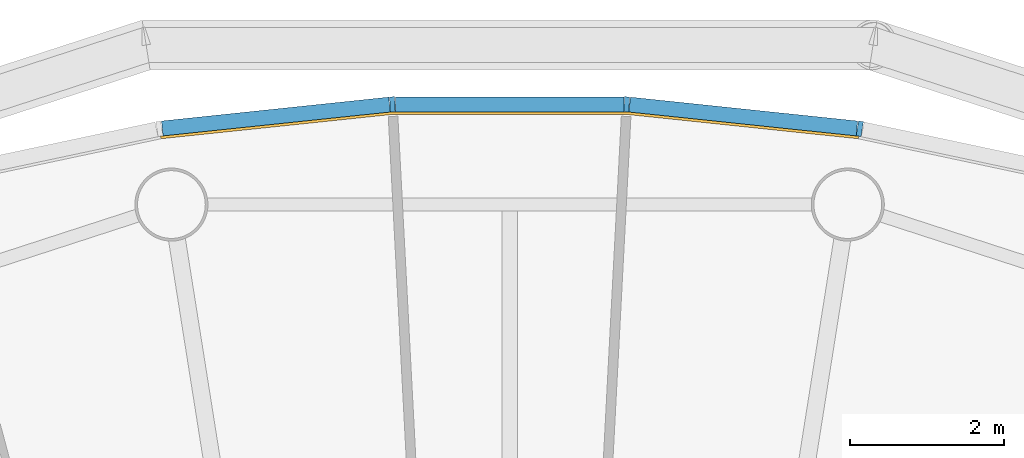
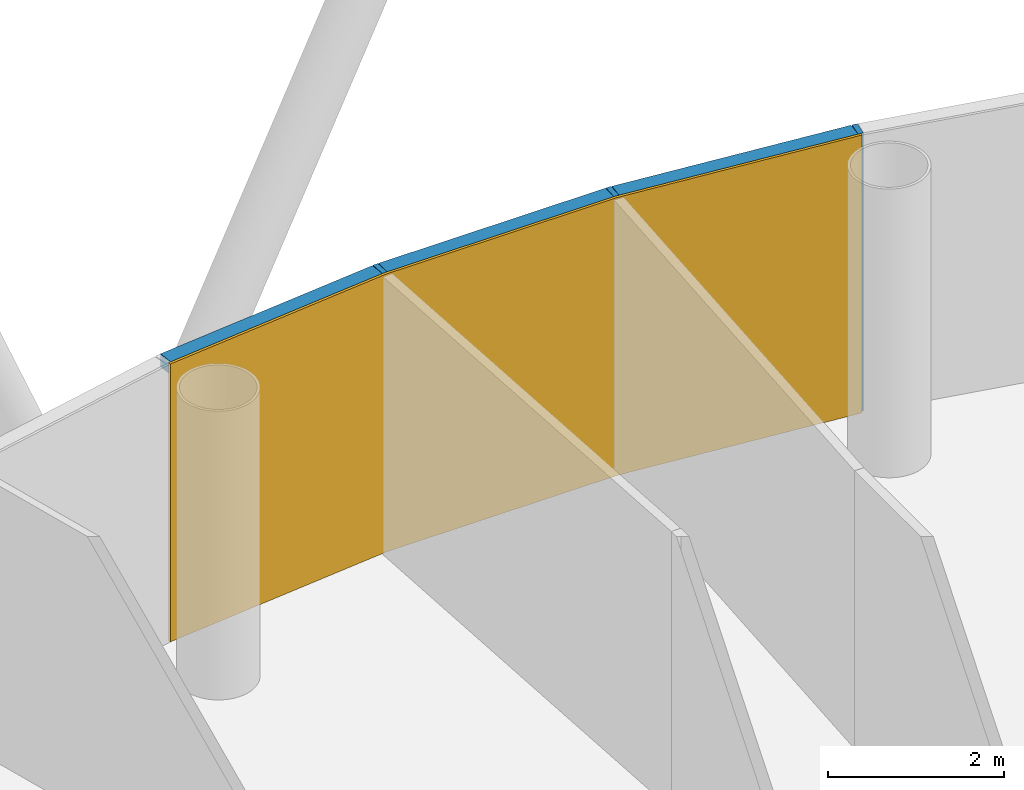
# One storey, part 11 of 13: 6 members, 1 curtain wall.
"""IFC4 building model written with IfcOpenShell, lengths in metres."""

from ifc_helpers import new_model, si_unit, direction, frame, origin, origin_2d, place, context, subcontext, project, spatial, polyline, rectangle, outline, extrude, material, layer, layer_set, material_profile, profile_set, type_object, element, aggregate, save


model = new_model("IFC4")

# Units and contexts
model_context = context("Model", 3, precision=1e-05, world=origin(), true_north=direction((0.0, 1.0)))
body_context = subcontext(model_context, "Body", "Model", "MODEL_VIEW")
ifc_project = project(units=[si_unit("LENGTHUNIT", "METRE"), si_unit("AREAUNIT", "SQUARE_METRE"), si_unit("VOLUMEUNIT", "CUBIC_METRE"), si_unit("PLANEANGLEUNIT", "RADIAN"), si_unit("MASSUNIT", "GRAM", prefix="KILO")], contexts=[model_context])

# Member
ifc_material_1 = material(Name="Anodised aluminium", Category="aluminium")
ifc_material_profile_1 = material_profile(ifc_material_1, rectangle(XDim=0.06494140625, YDim=0.195068359375, at=origin_2d()), Name="Mullion 65 x 195 mm anodised aluminium")
ifc_profile_set_1 = profile_set([ifc_material_profile_1], Name="Anodised aluminium")
member_type_1 = type_object("IfcMemberType", Name="Mullion 65 x 195 mm anodised aluminium", PredefinedType="MULLION", material=ifc_profile_set_1)
site_placement = place(None, origin())
building_placement = place(site_placement, origin())
storey_placement = place(building_placement, frame((0.0, 0.0, 310.0)))
member_1_placement = place(storey_placement, frame((94.5517578125, 108.7392578125, 0.0), z_axis=(0.0, 0.0, 1.0), x_axis=(-0.987688340595, 0.15643446504, 0.0)))
member_1 = element("IfcMember", 1, at=member_1_placement, type_object=member_type_1, Name="MULLION L71-12", PredefinedType="MULLION", context=body_context, shape_type="SweptSolid", body=[
    extrude(rectangle(XDim=0.06494140625, YDim=0.195068359375, at=origin_2d()), origin(), (0.0, 0.0, 1.0), 3.85009765625),
])

member_2_placement = place(storey_placement, frame((91.52294921875, 109.0576171875, 0.0), z_axis=(0.0, 0.0, 1.0), x_axis=(-0.998629534755, 0.052335956243, 0.0)))
member_2 = element("IfcMember", 2, at=member_2_placement, type_object=member_type_1, Name="MULLION L71-13", PredefinedType="MULLION", context=body_context, shape_type="SweptSolid", body=[
    extrude(rectangle(XDim=0.06494140625, YDim=0.195068359375, at=origin_2d()), origin(), (0.0, 0.0, 1.0), 3.85009765625),
])

member_3_placement = place(storey_placement, frame((88.47705078125, 109.0576171875, 0.0), z_axis=(0.0, 0.0, 1.0), x_axis=(-0.998629534755, -0.052335956243, 0.0)))
member_3 = element("IfcMember", 3, at=member_3_placement, type_object=member_type_1, Name="MULLION L71-14", PredefinedType="MULLION", context=body_context, shape_type="SweptSolid", body=[
    extrude(rectangle(XDim=0.06494140625, YDim=0.195068359375, at=origin_2d()), origin(), (0.0, 0.0, 1.0), 3.85009765625),
])

ifc_material_2 = material(Name="Anodised aluminium", Category="aluminium")
ifc_material_profile_2 = material_profile(ifc_material_2, rectangle(XDim=0.195068359375, YDim=0.179931640625, at=origin_2d()), Name="Transom 180 x 195 mm anodised aluminium")
ifc_profile_set_2 = profile_set([ifc_material_profile_2], Name="Anodised aluminium")
member_type_2 = type_object("IfcMemberType", Name="Transom 180 x 195 mm anodised aluminium", PredefinedType="USERDEFINED", material=ifc_profile_set_2)
member_4_placement = place(storey_placement, frame((94.514404296875, 108.743408203125, 3.760009765625), z_axis=(-0.994528397827, 0.104466577987, 0.0), x_axis=(-0.104466577987, -0.994528397827, 0.0)))
member_4 = element("IfcMember", 4, at=member_4_placement, type_object=member_type_2, Name="TRANSOM L71-12", ObjectType="TRANSOM", PredefinedType="USERDEFINED", context=body_context, shape_type="SweptSolid", body=[
    extrude(rectangle(XDim=0.195068359375, YDim=0.179931640625, at=origin_2d()), origin(), (0.0, 0.0, 1.0), 2.970458984375),
])

member_5_placement = place(storey_placement, frame((91.4853515625, 109.057861328125, 3.760009765625), z_axis=(-1.0, 0.0, 0.0), x_axis=(0.0, -1.0, 0.0)))
member_5 = element("IfcMember", 5, at=member_5_placement, type_object=member_type_2, Name="TRANSOM L71-13", ObjectType="TRANSOM", PredefinedType="USERDEFINED", context=body_context, shape_type="SweptSolid", body=[
    extrude(rectangle(XDim=0.195068359375, YDim=0.179931640625, at=origin_2d()), origin(), (0.0, 0.0, 1.0), 2.970703125),
])

member_6_placement = place(storey_placement, frame((88.439697265625, 109.0537109375, 3.760009765625), z_axis=(-0.994528397827, -0.104466577987, 0.0), x_axis=(0.104466577987, -0.994528397827, 0.0)))
member_6 = element("IfcMember", 6, at=member_6_placement, type_object=member_type_2, Name="TRANSOM L71-14", ObjectType="TRANSOM", PredefinedType="USERDEFINED", context=body_context, shape_type="SweptSolid", body=[
    extrude(rectangle(XDim=0.195068359375, YDim=0.179931640625, at=origin_2d()), origin(), (0.0, 0.0, 1.0), 2.970458984375),
])

# Site, building, storey
site = spatial("IfcSite", under=ifc_project, at=site_placement, CompositionType="ELEMENT")
building = spatial("IfcBuilding", under=site, at=building_placement, Name="Entoto Ring Tower", CompositionType="ELEMENT")
storey = spatial("IfcBuildingStorey", under=building, at=storey_placement, Name="L71", CompositionType="ELEMENT", Elevation=310.0)

# Curtain wall
ifc_material_3 = material(Name="Clear low-iron glass", Category="glass")
ifc_layer = layer(ifc_material_3, 0.033935546875)
ifc_layer_set = layer_set([ifc_layer], Name="Clear low-iron glass")
curtain_wall_type = type_object("IfcCurtainWallType", Name="Curtain wall system CW5 glazing 34 mm", PredefinedType="NOTDEFINED", material=ifc_layer_set)
curtain_wall_placement = place(storey_placement, origin())
curtain_wall = element("IfcCurtainWall", 7, at=curtain_wall_placement, inside=storey, type_object=curtain_wall_type, Name="CW5 L71-05", PredefinedType="NOTDEFINED", context=body_context, shape_type="SweptSolid", body=[
    extrude(outline(polyline([(94.53662109375, 108.64306640625), (91.517822265625, 108.960205078125), (88.482177734375, 108.960205078125), (85.46337890625, 108.64306640625), (85.46875, 108.609375), (88.484130859375, 108.92626953125), (91.515869140625, 108.92626953125), (94.53125, 108.609375), (94.53662109375, 108.64306640625)])), origin(), (0.0, 0.0, 1.0), 3.85009765625),
])

aggregate(curtain_wall, [member_1, member_2, member_3, member_4, member_5, member_6])

save(model, "model.ifc")
